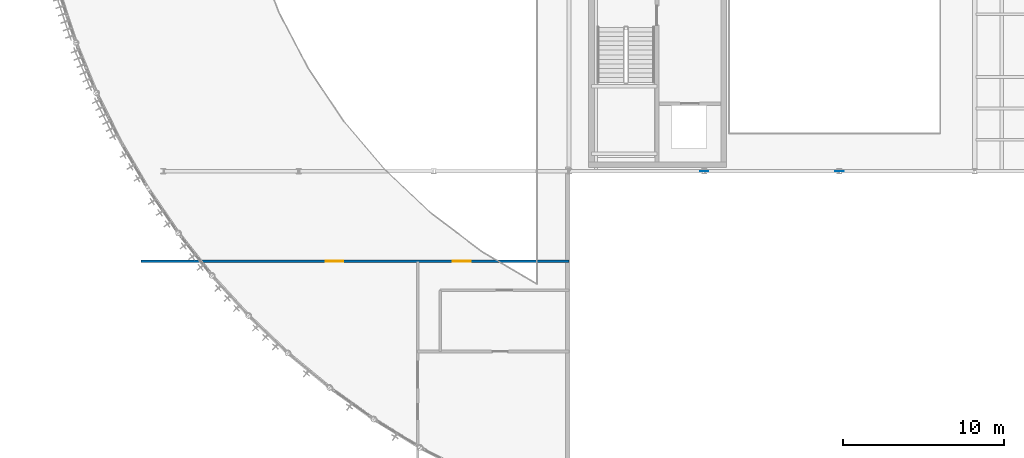
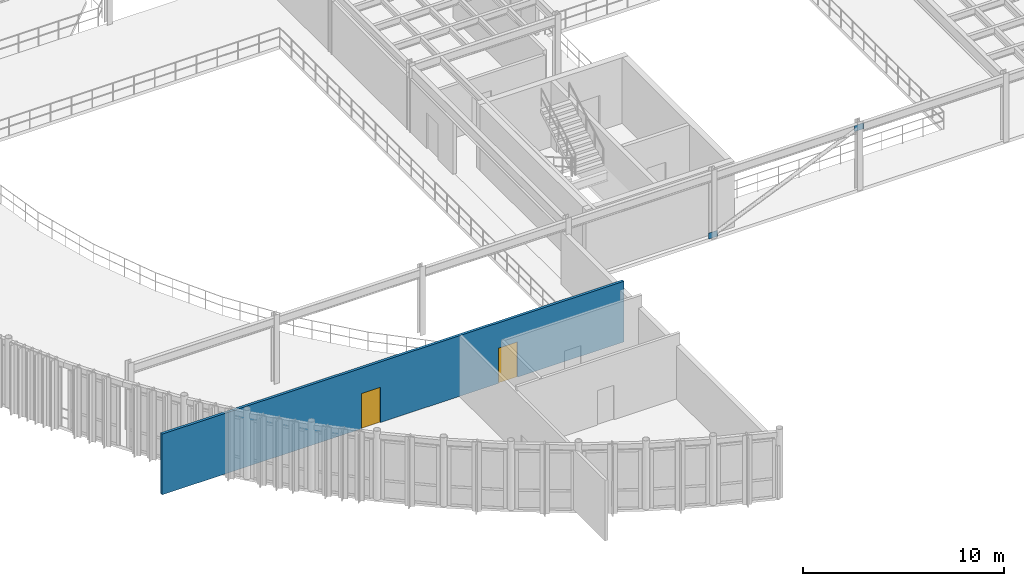
# One storey, part 20 of 32: 2 doors, 2 plates, 1 wall, 2 openings.
"""IFC4 building model written with IfcOpenShell, lengths in metres."""

from ifc_helpers import new_model, si_unit, direction, frame, frame_2d, origin, origin_2d, place, context, subcontext, project, spatial, rectangle, extrude, material, layer, layer_set, type_object, element, fill, save


model = new_model("IFC4")

# Units and contexts
model_context = context("Model", 3, precision=1e-05, world=origin(), true_north=direction((0.0, 1.0)))
body_context = subcontext(model_context, "Body", "Model", "MODEL_VIEW")
ifc_project = project(units=[si_unit("LENGTHUNIT", "METRE"), si_unit("AREAUNIT", "SQUARE_METRE"), si_unit("VOLUMEUNIT", "CUBIC_METRE"), si_unit("PLANEANGLEUNIT", "RADIAN"), si_unit("MASSUNIT", "GRAM", prefix="KILO")], contexts=[model_context])

# Site, building, storey
site_placement = place(None, origin())
site = spatial("IfcSite", under=ifc_project, at=site_placement, CompositionType="ELEMENT")
building_placement = place(site_placement, origin())
building = spatial("IfcBuilding", under=site, at=building_placement, Name="Selat Folded Stagehouse", CompositionType="ELEMENT")
storey_placement = place(building_placement, frame((0.0, 0.0, 19.199951171875)))
storey = spatial("IfcBuildingStorey", under=building, at=storey_placement, Name="L04", CompositionType="ELEMENT", Elevation=19.199951171875)

# Plates
ifc_material_1 = material(Name="Steel S355", Category="steel")
ifc_layer_1 = layer(ifc_material_1, 0.01806640625)
ifc_layer_set_1 = layer_set([ifc_layer_1], Name="Steel S355")
plate_type = type_object("IfcPlateType", Name="PLT-GUSSET-520x360x18", PredefinedType="USERDEFINED", material=ifc_layer_set_1)
for number, where, z_axis, x_axis, name in (
    (1, (42.0, 23.39990234375, -0.02978515625), (0.0, 0.0, 1.0), (1.0, 0.0, 0.0), "L04 VBR-05 end gusset plate 57"),
    (2, (50.39990234375, 23.39990234375, 3.56982421875), (0.0, 0.0, 1.0), (1.0, 0.0, 0.0), "L04 VBR-05 end gusset plate 58"),
):
    element("IfcPlate", number, at=place(storey_placement, frame(where, z_axis=z_axis, x_axis=x_axis)), inside=storey, type_object=plate_type, Name=name, ObjectType="GUSSET_PLATE", PredefinedType="USERDEFINED", context=body_context, shape_type="SweptSolid", body=[
        extrude(rectangle(XDim=0.52001953125, YDim=0.01806640625, at=origin_2d()), origin(), (0.0, 0.0, 1.0), 0.360107421875),
    ])

# Wall, openings, doors
ifc_material_2 = material(Name="Fire-rated drywall stud partition", Category="gypsum")
ifc_layer_2 = layer(ifc_material_2, 0.14990234375)
ifc_layer_set_2 = layer_set([ifc_layer_2], Name="Fire-rated drywall stud partition")
wall_type = type_object("IfcWallType", Name="WAL-PART-150", PredefinedType="PARTITIONING", material=ifc_layer_set_2)
wall_placement = place(storey_placement, frame((7.0, 17.800048828125, 0.0), z_axis=(0.0, 0.0, 1.0), x_axis=(1.0, 0.0, 0.0)))
wall = element("IfcWall", 3, at=wall_placement, inside=storey, type_object=wall_type, Name="L04 interior partition wall 110", PredefinedType="PARTITIONING", context=body_context, shape_type="SweptSolid", body=[
    extrude(rectangle(XDim=26.60009765625, YDim=0.14990234375, at=frame_2d((13.300048828125, 0.0))), origin(), (0.0, 0.0, 1.0), 3.692138671875),
])
opening_1_placement = place(wall_placement, frame((11.47509765625, 0.0, 0.0)))
opening_1 = element("IfcOpeningElement", 4, at=opening_1_placement, cuts=wall, Name="Opening FD-60", PredefinedType="OPENING", context=body_context, shape_type="SweptSolid", body=[
    extrude(rectangle(XDim=1.10009765625, YDim=2.14990234375, at=frame_2d((0.550048828125, 1.074951171875))), frame((0.0, 0.0849609375, 0.0), z_axis=(0.0, -1.0, 0.0), x_axis=(1.0, 0.0, 0.0)), (0.0, 0.0, 1.0), 0.169921875),
])
opening_2_placement = place(wall_placement, frame((19.3798828125, 0.0, 0.0)))
opening_2 = element("IfcOpeningElement", 5, at=opening_2_placement, cuts=wall, Name="Opening FD-60", PredefinedType="OPENING", context=body_context, shape_type="SweptSolid", body=[
    extrude(rectangle(XDim=1.10009765625, YDim=2.14990234375, at=frame_2d((0.550048828125, 1.074951171875))), frame((0.0, 0.0849609375, 0.0), z_axis=(0.0, -1.0, 0.0), x_axis=(1.0, 0.0, 0.0)), (0.0, 0.0, 1.0), 0.169921875),
])
ifc_material_3 = material(Name="Fire-rated timber core door", Category="wood")
door_type = type_object("IfcDoorType", Name="DOR-FIRE-60", OperationType="NOTDEFINED", PredefinedType="DOOR", material=ifc_material_3)
door_1_placement = place(opening_1_placement, origin())
door_1 = element("IfcDoor", 6, at=door_1_placement, inside=storey, type_object=door_type, Name="L04 interior door IWAL-L04-110-1", OperationType="SINGLE_SWING_RIGHT", OverallHeight=2.14990234375, OverallWidth=1.10009765625, PredefinedType="DOOR", context=body_context, shape_type="SweptSolid", body=[
    extrude(rectangle(XDim=1.10009765625, YDim=2.14990234375, at=frame_2d((0.550048828125, 1.074951171875))), frame((0.0, 0.02490234375, 0.0), z_axis=(0.0, -1.0, 0.0), x_axis=(1.0, 0.0, 0.0)), (0.0, 0.0, 1.0), 0.050048828125),
])
fill(opening_1, door_1)
door_2_placement = place(opening_2_placement, origin())
door_2 = element("IfcDoor", 7, at=door_2_placement, inside=storey, type_object=door_type, Name="L04 interior door IWAL-L04-110-2", OperationType="SINGLE_SWING_LEFT", OverallHeight=2.14990234375, OverallWidth=1.10009765625, PredefinedType="DOOR", context=body_context, shape_type="SweptSolid", body=[
    extrude(rectangle(XDim=1.10009765625, YDim=2.14990234375, at=frame_2d((0.550048828125, 1.074951171875))), frame((0.0, 0.02490234375, 0.0), z_axis=(0.0, -1.0, 0.0), x_axis=(1.0, 0.0, 0.0)), (0.0, 0.0, 1.0), 0.050048828125),
])
fill(opening_2, door_2)

save(model, "model.ifc")
